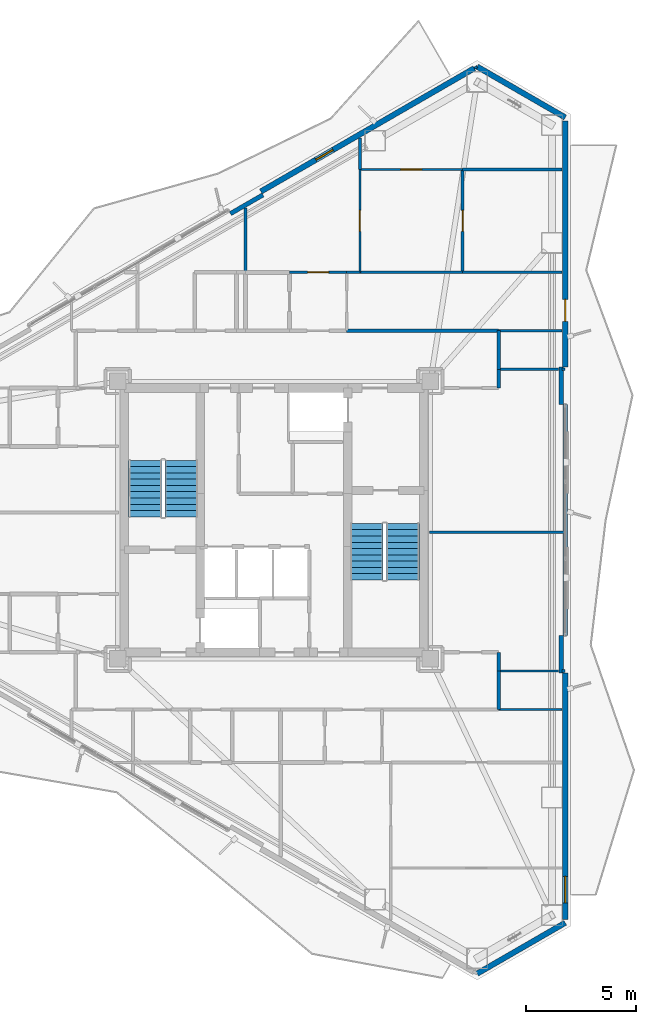
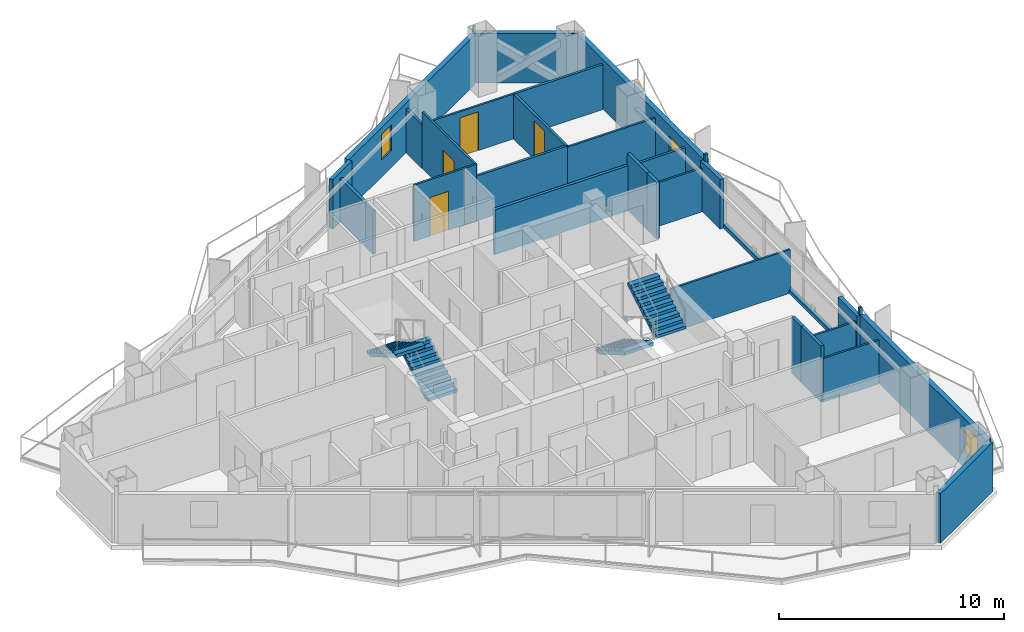
# One storey, part 16 of 19: 32 walls, 5 doors, 4 stair flights, 2 windows, 7 openings, 2 elements without a shape of their own.
"""IFC4 building model written with IfcOpenShell, lengths in metres."""

from ifc_helpers import new_model, si_unit, direction, frame, frame_2d, origin, place, context, subcontext, project, spatial, polyline, rectangle, outline, extrude, material, layer, layer_set, type_object, element, fill, aggregate, save


model = new_model("IFC4")

# Units and contexts
model_context = context("Model", 3, precision=1e-05, world=origin(), true_north=direction((0.0, 1.0)))
body_context = subcontext(model_context, "Body", "Model", "MODEL_VIEW")
ifc_project = project(units=[si_unit("LENGTHUNIT", "METRE"), si_unit("AREAUNIT", "SQUARE_METRE"), si_unit("VOLUMEUNIT", "CUBIC_METRE"), si_unit("PLANEANGLEUNIT", "RADIAN"), si_unit("MASSUNIT", "GRAM", prefix="KILO")], contexts=[model_context])

# Site, building, storey
site_placement = place(None, origin())
site = spatial("IfcSite", under=ifc_project, at=site_placement, CompositionType="ELEMENT")
building_placement = place(site_placement, origin())
building = spatial("IfcBuilding", under=site, at=building_placement, Name="Mersakhor Tower and Convention Hall", CompositionType="ELEMENT")
storey_placement = place(building_placement, frame((0.0, 0.0, 147.60009765625)))
storey = spatial("IfcBuildingStorey", under=building, at=storey_placement, Name="L41", CompositionType="ELEMENT", Elevation=147.60009765625)

# Walls
ifc_material_1 = material(Name="Precast concrete C40/50", Category="concrete")
ifc_layer_1 = layer(ifc_material_1, 0.25)
ifc_layer_set_1 = layer_set([ifc_layer_1], Name="Precast concrete C40/50")
wall_type_1 = type_object("IfcWallType", Name="WL-EXT-250", PredefinedType="SOLIDWALL", material=ifc_layer_set_1)
for number, where, z_axis, x_axis, name in (
    (1, (38.220458984375, 47.337646484375, 0.0), (0.0, 0.0, 1.0), (0.866035021055, -0.499983342029, 0.0), "L41 Chamfer Braced Spandrel Wall C1"),
    (2, (42.21923828125, 8.470947265625, 0.0), (0.0, 0.0, 1.0), (-0.866035021055, -0.499983342029, 0.0), "L41 Chamfer Braced Spandrel Wall C2"),
):
    element("IfcWall", number, at=place(storey_placement, frame(where, z_axis=z_axis, x_axis=x_axis)), inside=storey, type_object=wall_type_1, Name=name, PredefinedType="SOLIDWALL", context=body_context, shape_type="SweptSolid", body=[
        extrude(rectangle(XDim=4.617431640625, YDim=0.25, at=frame_2d((2.30859375, 0.0))), origin(), (0.0, 0.0, 1.0), 2.679931640625),
    ])

# Wall, opening, window
wall_1_placement = place(storey_placement, frame((28.4033203125, 41.669677734375, 0.0), z_axis=(0.0, 0.0, 1.0), x_axis=(0.86602239209, 0.500005216371, 0.0)))
wall_1 = element("IfcWall", 3, at=wall_1_placement, inside=storey, type_object=wall_type_1, Name="L41 Exterior Facade Wall F1-B3", PredefinedType="SOLIDWALL", context=body_context, shape_type="SweptSolid", body=[
    extrude(rectangle(XDim=11.18603515625, YDim=0.25, at=frame_2d((5.593017578125, 0.0))), origin(), (0.0, 0.0, 1.0), 2.679931640625),
])
opening_1_placement = place(wall_1_placement, frame((2.8798828125, 0.0, 0.89990234375)))
opening_1 = element("IfcOpeningElement", 4, at=opening_1_placement, cuts=wall_1, Name="Opening W-06", PredefinedType="OPENING", context=body_context, shape_type="SweptSolid", body=[
    extrude(rectangle(XDim=0.89990234375, YDim=1.39990234375, at=frame_2d((0.449951171875, 0.699951171875))), frame((0.0, 0.135009765625, 0.0), z_axis=(0.0, -1.0, 0.0), x_axis=(1.0, 0.0, 0.0)), (0.0, 0.0, 1.0), 0.27001953125),
])
ifc_material_2 = material(Name="Dark solar low-E glazed aluminium window", Category="aluminium")
window_type_1 = type_object("IfcWindowType", Name="WN-STD-090x140", PartitioningType="SINGLE_PANEL", PredefinedType="WINDOW", material=ifc_material_2)
window_1_placement = place(opening_1_placement, origin())
window_1 = element("IfcWindow", 5, at=window_1_placement, inside=storey, type_object=window_type_1, Name="L41 Facade Punched Window F1-B3", OverallHeight=1.39990234375, OverallWidth=0.89990234375, PartitioningType="SINGLE_PANEL", PredefinedType="WINDOW", context=body_context, shape_type="SweptSolid", body=[
    extrude(rectangle(XDim=0.89990234375, YDim=1.39990234375, at=frame_2d((0.449951171875, 0.699951171875))), frame((0.0, 0.030029296875, 0.0), z_axis=(0.0, -1.0, 0.0), x_axis=(1.0, 0.0, 0.0)), (0.0, 0.0, 1.0), 0.06005859375),
])
fill(opening_1, window_1)

# Wall, opening, door
wall_2_placement = place(storey_placement, frame((42.21923828125, 44.87890625, 0.0), z_axis=(0.0, 0.0, 1.0), x_axis=(0.0, -1.0, 0.0)))
wall_2 = element("IfcWall", 6, at=wall_2_placement, inside=storey, type_object=wall_type_1, Name="L41 Exterior Facade Wall F2-B1", PredefinedType="SOLIDWALL", context=body_context, shape_type="SweptSolid", body=[
    extrude(rectangle(XDim=11.185791015625, YDim=0.25, at=frame_2d((5.5927734375, 0.0))), origin(), (0.0, 0.0, 1.0), 2.679931640625),
])
opening_2_placement = place(wall_2_placement, frame((8.10888671875, 0.0, 0.0)))
opening_2 = element("IfcOpeningElement", 7, at=opening_2_placement, cuts=wall_2, Name="Opening BD-01", PredefinedType="OPENING", context=body_context, shape_type="SweptSolid", body=[
    extrude(rectangle(XDim=1.0, YDim=2.10009765625, at=frame_2d((0.5, 1.050048828125))), frame((0.0, 0.135009765625, 0.0), z_axis=(0.0, -1.0, 0.0), x_axis=(1.0, 0.0, 0.0)), (0.0, 0.0, 1.0), 0.27001953125),
])
ifc_material_3 = material(Name="Thermally broken dark aluminium and safety glass", Category="aluminium")
door_type_1 = type_object("IfcDoorType", Name="DR-BAL-100x210", OperationType="NOTDEFINED", PredefinedType="DOOR", material=ifc_material_3)
door_1_placement = place(opening_2_placement, origin())
door_1 = element("IfcDoor", 8, at=door_1_placement, inside=storey, type_object=door_type_1, Name="L41 Balcony Terrace Door F2-B1", OperationType="SINGLE_SWING_LEFT", OverallHeight=2.10009765625, OverallWidth=1.0, PredefinedType="DOOR", context=body_context, shape_type="SweptSolid", body=[
    extrude(rectangle(XDim=1.0, YDim=2.10009765625, at=frame_2d((0.5, 1.050048828125))), frame((0.0, 0.02490234375, 0.0), z_axis=(0.0, -1.0, 0.0), x_axis=(1.0, 0.0, 0.0)), (0.0, 0.0, 1.0), 0.050048828125),
])
fill(opening_2, door_1)

# Wall, opening, window
wall_3_placement = place(storey_placement, frame((42.21923828125, 19.806884765625, 0.0), z_axis=(0.0, 0.0, 1.0), x_axis=(0.0, -1.0, 0.0)))
wall_3 = element("IfcWall", 9, at=wall_3_placement, inside=storey, type_object=wall_type_1, Name="L41 Exterior Facade Wall F2-B3", PredefinedType="SOLIDWALL", context=body_context, shape_type="SweptSolid", body=[
    extrude(rectangle(XDim=11.185791015625, YDim=0.25, at=frame_2d((5.5927734375, 0.0))), origin(), (0.0, 0.0, 1.0), 2.679931640625),
])
opening_3_placement = place(wall_3_placement, frame((9.22705078125, 0.0, 0.89990234375)))
opening_3 = element("IfcOpeningElement", 10, at=opening_3_placement, cuts=wall_3, Name="Opening W-01", PredefinedType="OPENING", context=body_context, shape_type="SweptSolid", body=[
    extrude(rectangle(XDim=1.199951171875, YDim=1.39990234375, at=frame_2d((0.60009765625, 0.699951171875))), frame((0.0, 0.135009765625, 0.0), z_axis=(0.0, -1.0, 0.0), x_axis=(1.0, 0.0, 0.0)), (0.0, 0.0, 1.0), 0.27001953125),
])
ifc_material_4 = material(Name="Dark solar low-E glazed aluminium window", Category="aluminium")
window_type_2 = type_object("IfcWindowType", Name="WN-RES-120x150", PartitioningType="SINGLE_PANEL", PredefinedType="WINDOW", material=ifc_material_4)
window_2_placement = place(opening_3_placement, origin())
window_2 = element("IfcWindow", 11, at=window_2_placement, inside=storey, type_object=window_type_2, Name="L41 Bedroom Facade Window F2-B3-1", OverallHeight=1.39990234375, OverallWidth=1.199951171875, PartitioningType="SINGLE_PANEL", PredefinedType="WINDOW", context=body_context, shape_type="SweptSolid", body=[
    extrude(rectangle(XDim=1.199951171875, YDim=1.39990234375, at=frame_2d((0.60009765625, 0.699951171875))), frame((0.0, 0.030029296875, 0.0), z_axis=(0.0, -1.0, 0.0), x_axis=(1.0, 0.0, 0.0)), (0.0, 0.0, 1.0), 0.06005859375),
])
fill(opening_3, window_2)

# Walls
ifc_material_5 = material(Name="Precast concrete C40/50", Category="concrete")
ifc_layer_2 = layer(ifc_material_5, 0.199951171875)
ifc_layer_set_2 = layer_set([ifc_layer_2], Name="Precast concrete C40/50")
wall_type_2 = type_object("IfcWallType", Name="WL-PAR-200", PredefinedType="PARAPET", material=ifc_layer_set_2)
wall_4_placement = place(storey_placement, frame((27.02099609375, 40.663818359375, 0.0), z_axis=(0.0, 0.0, 1.0), x_axis=(0.86605165483, 0.499954529098, 0.0)))
element("IfcWall", 12, at=wall_4_placement, inside=storey, type_object=wall_type_2, Name="L41 Column Pier Cladding Wall F1-C2", PredefinedType="PARAPET", context=body_context, shape_type="SweptSolid", body=[
    extrude(rectangle(XDim=1.699951171875, YDim=0.199951171875, at=frame_2d((0.85009765625, 0.0))), origin(), (0.0, 0.0, 1.0), 2.679931640625),
])
wall_5_placement = place(storey_placement, frame((42.21923828125, 31.992919921875, 0.0), z_axis=(0.0, 0.0, 1.0), x_axis=(0.0, -1.0, 0.0)))
element("IfcWall", 13, at=wall_5_placement, inside=storey, type_object=wall_type_2, Name="L41 Curtain Wall Upstand Sill F2-B2", PredefinedType="PARAPET", context=body_context, shape_type="SweptSolid", body=[
    extrude(rectangle(XDim=10.48583984375, YDim=0.199951171875, at=frame_2d((5.242919921875, 0.0))), origin(), (0.0, 0.0, 1.0), 0.199951171875),
])
for number, where, z_axis, x_axis, name in (
    (14, (42.039306640625, 33.693115234375, 0.0), (0.0, 0.0, 1.0), (0.0, -1.0, 0.0), "L41 Column Pier Cladding Wall F2-C1"),
    (15, (42.039306640625, 21.507080078125, 0.0), (0.0, 0.0, 1.0), (0.0, -1.0, 0.0), "L41 Column Pier Cladding Wall F2-C2"),
):
    element("IfcWall", number, at=place(storey_placement, frame(where, z_axis=z_axis, x_axis=x_axis)), inside=storey, type_object=wall_type_2, Name=name, PredefinedType="PARAPET", context=body_context, shape_type="SweptSolid", body=[
        extrude(rectangle(XDim=1.7001953125, YDim=0.199951171875, at=frame_2d((0.85009765625, 0.0))), origin(), (0.0, 0.0, 1.0), 2.679931640625),
    ])

# Wall, opening, door
ifc_material_6 = material(Name="Lightweight gypsum partition", Category="other")
ifc_layer_3 = layer(ifc_material_6, 0.10009765625)
ifc_layer_set_3 = layer_set([ifc_layer_3], Name="Lightweight gypsum partition")
wall_type_3 = type_object("IfcWallType", Name="WL-PRT-100", PredefinedType="PARTITIONING", material=ifc_layer_set_3)
wall_6_placement = place(storey_placement, frame((29.699951171875, 38.0, 0.0), z_axis=(0.0, 0.0, 1.0), x_axis=(1.0, 0.0, 0.0)))
wall_6 = element("IfcWall", 16, at=wall_6_placement, inside=storey, type_object=wall_type_3, Name="L41 Interior Partition Wall P-052", PredefinedType="PARTITIONING", context=body_context, shape_type="SweptSolid", body=[
    extrude(rectangle(XDim=2.60009765625, YDim=0.10009765625, at=frame_2d((1.300048828125, 0.0))), origin(), (0.0, 0.0, 1.0), 3.059814453125),
])
opening_4_placement = place(wall_6_placement, frame((0.824951171875, 0.0, 0.0)))
opening_4 = element("IfcOpeningElement", 17, at=opening_4_placement, cuts=wall_6, Name="Opening RD-01", PredefinedType="OPENING", context=body_context, shape_type="SweptSolid", body=[
    extrude(rectangle(XDim=0.949951171875, YDim=2.10009765625, at=frame_2d((0.47509765625, 1.050048828125))), frame((0.0, 0.06005859375, 0.0), z_axis=(0.0, -1.0, 0.0), x_axis=(1.0, 0.0, 0.0)), (0.0, 0.0, 1.0), 0.1201171875),
])
ifc_material_7 = material(Name="Solid-core hardwood leaf in painted steel frame", Category="steel")
door_type_2 = type_object("IfcDoorType", Name="DR-INT-RM-095x210", OperationType="NOTDEFINED", PredefinedType="DOOR", material=ifc_material_7)
door_2_placement = place(opening_4_placement, origin())
door_2 = element("IfcDoor", 18, at=door_2_placement, inside=storey, type_object=door_type_2, Name="L41 L41 Flat N2 Apartment Hall to L41 Flat N2 Living and Dining Room Door", OperationType="SINGLE_SWING_LEFT", OverallHeight=2.10009765625, OverallWidth=0.949951171875, PredefinedType="DOOR", context=body_context, shape_type="SweptSolid", body=[
    extrude(rectangle(XDim=0.949951171875, YDim=2.10009765625, at=frame_2d((0.47509765625, 1.050048828125))), frame((0.0, 0.02490234375, 0.0), z_axis=(0.0, -1.0, 0.0), x_axis=(1.0, 0.0, 0.0)), (0.0, 0.0, 1.0), 0.050048828125),
])
fill(opening_4, door_2)

# Walls
wall_7_placement = place(storey_placement, frame((32.300048828125, 38.0, 0.0), z_axis=(0.0, 0.0, 1.0), x_axis=(1.0, 0.0, 0.0)))
element("IfcWall", 19, at=wall_7_placement, inside=storey, type_object=wall_type_3, Name="L41 Interior Partition Wall P-074", PredefinedType="PARTITIONING", context=body_context, shape_type="SweptSolid", body=[
    extrude(rectangle(XDim=0.599853515625, YDim=0.10009765625, at=frame_2d((0.2998046875, 0.0))), origin(), (0.0, 0.0, 1.0), 3.059814453125),
])
wall_8_placement = place(storey_placement, frame((37.56005859375, 38.0, 0.0), z_axis=(0.0, 0.0, 1.0), x_axis=(1.0, 0.0, 0.0)))
element("IfcWall", 20, at=wall_8_placement, inside=storey, type_object=wall_type_3, Name="L41 Interior Partition Wall P-076", PredefinedType="PARTITIONING", context=body_context, shape_type="SweptSolid", body=[
    extrude(rectangle(XDim=4.51025390625, YDim=0.10009765625, at=frame_2d((2.255126953125, 0.0))), origin(), (0.0, 0.0, 1.0), 2.364990234375),
])
wall_9_placement = place(storey_placement, frame((39.199951171875, 18.14990234375, 0.0), z_axis=(0.0, 0.0, 1.0), x_axis=(1.0, 0.0, 0.0)))
element("IfcWall", 21, at=wall_9_placement, inside=storey, type_object=wall_type_3, Name="L41 Interior Partition Wall P-082", PredefinedType="PARTITIONING", context=body_context, shape_type="SweptSolid", body=[
    extrude(rectangle(XDim=2.870361328125, YDim=0.10009765625, at=frame_2d((1.43505859375, 0.0))), origin(), (0.0, 0.0, 1.0), 2.364990234375),
])
wall_10_placement = place(storey_placement, frame((39.199951171875, 33.60009765625, 0.0), z_axis=(0.0, 0.0, 1.0), x_axis=(1.0, 0.0, 0.0)))
element("IfcWall", 22, at=wall_10_placement, inside=storey, type_object=wall_type_3, Name="L41 Interior Partition Wall P-100", PredefinedType="PARTITIONING", context=body_context, shape_type="SweptSolid", body=[
    extrude(rectangle(XDim=2.71533203125, YDim=0.10009765625, at=frame_2d((1.357666015625, 0.0))), origin(), (0.0, 0.0, 1.0), 2.364990234375),
])
wall_11_placement = place(storey_placement, frame((42.18115234375, 26.199951171875, 0.0), z_axis=(0.0, 0.0, 1.0), x_axis=(-1.0, 0.0, 0.0)))
element("IfcWall", 23, at=wall_11_placement, inside=storey, type_object=wall_type_3, Name="L41 Interior Partition Wall P-102", PredefinedType="PARTITIONING", context=body_context, shape_type="SweptSolid", body=[
    extrude(rectangle(XDim=6.131103515625, YDim=0.10009765625, at=frame_2d((3.0654296875, 0.0))), origin(), (0.0, 0.0, 1.0), 2.364990234375),
])
wall_12_placement = place(storey_placement, frame((41.915283203125, 19.89990234375, 0.0), z_axis=(0.0, 0.0, 1.0), x_axis=(-1.0, 0.0, 0.0)))
element("IfcWall", 24, at=wall_12_placement, inside=storey, type_object=wall_type_3, Name="L41 Interior Partition Wall P-106", PredefinedType="PARTITIONING", context=body_context, shape_type="SweptSolid", body=[
    extrude(rectangle(XDim=2.71533203125, YDim=0.10009765625, at=frame_2d((1.357666015625, 0.0))), origin(), (0.0, 0.0, 1.0), 2.364990234375),
])

# Wall, opening, door
wall_13_placement = place(storey_placement, frame((32.89990234375, 42.669921875, 0.0), z_axis=(0.0, 0.0, 1.0), x_axis=(0.0, -1.0, 0.0)))
wall_13 = element("IfcWall", 25, at=wall_13_placement, inside=storey, type_object=wall_type_3, Name="L41 Interior Partition Wall P-114", PredefinedType="PARTITIONING", context=body_context, shape_type="SweptSolid", body=[
    extrude(rectangle(XDim=4.669921875, YDim=0.10009765625, at=frame_2d((2.3349609375, 0.0))), origin(), (0.0, 0.0, 1.0), 3.059814453125),
])
opening_5_placement = place(wall_13_placement, frame((1.860107421875, 0.0, 0.0)))
opening_5 = element("IfcOpeningElement", 26, at=opening_5_placement, cuts=wall_13, Name="Opening RD-01", PredefinedType="OPENING", context=body_context, shape_type="SweptSolid", body=[
    extrude(rectangle(XDim=0.949951171875, YDim=2.10009765625, at=frame_2d((0.47509765625, 1.050048828125))), frame((0.0, 0.06005859375, 0.0), z_axis=(0.0, -1.0, 0.0), x_axis=(1.0, 0.0, 0.0)), (0.0, 0.0, 1.0), 0.1201171875),
])
door_3_placement = place(opening_5_placement, origin())
door_3 = element("IfcDoor", 27, at=door_3_placement, inside=storey, type_object=door_type_2, Name="L41 L41 Flat N2 Living and Dining Room to L41 Flat N2 Bedroom 1 Door", OperationType="SINGLE_SWING_RIGHT", OverallHeight=2.10009765625, OverallWidth=0.949951171875, PredefinedType="DOOR", context=body_context, shape_type="SweptSolid", body=[
    extrude(rectangle(XDim=0.949951171875, YDim=2.10009765625, at=frame_2d((0.47509765625, 1.050048828125))), frame((0.0, 0.02490234375, 0.0), z_axis=(0.0, -1.0, 0.0), x_axis=(1.0, 0.0, 0.0)), (0.0, 0.0, 1.0), 0.050048828125),
])
fill(opening_5, door_3)

wall_14_placement = place(storey_placement, frame((32.89990234375, 42.669921875, 0.0), z_axis=(0.0, 0.0, 1.0), x_axis=(1.0, 0.0, 0.0)))
wall_14 = element("IfcWall", 28, at=wall_14_placement, inside=storey, type_object=wall_type_3, Name="L41 Interior Partition Wall P-116", PredefinedType="PARTITIONING", context=body_context, shape_type="SweptSolid", body=[
    extrude(rectangle(XDim=4.66015625, YDim=0.10009765625, at=frame_2d((2.330078125, 0.0))), origin(), (0.0, 0.0, 1.0), 2.4326171875),
])
opening_6_placement = place(wall_14_placement, frame((1.85498046875, 0.0, 0.0)))
opening_6 = element("IfcOpeningElement", 29, at=opening_6_placement, cuts=wall_14, Name="Opening RD-01", PredefinedType="OPENING", context=body_context, shape_type="SweptSolid", body=[
    extrude(rectangle(XDim=0.949951171875, YDim=2.10009765625, at=frame_2d((0.47509765625, 1.050048828125))), frame((0.0, 0.06005859375, 0.0), z_axis=(0.0, -1.0, 0.0), x_axis=(1.0, 0.0, 0.0)), (0.0, 0.0, 1.0), 0.1201171875),
])
door_4_placement = place(opening_6_placement, origin())
door_4 = element("IfcDoor", 30, at=door_4_placement, inside=storey, type_object=door_type_2, Name="L41 L41 Flat N2 Bedroom 1 to L41 Flat N2 Study Room Door", OperationType="SINGLE_SWING_RIGHT", OverallHeight=2.10009765625, OverallWidth=0.949951171875, PredefinedType="DOOR", context=body_context, shape_type="SweptSolid", body=[
    extrude(rectangle(XDim=0.949951171875, YDim=2.10009765625, at=frame_2d((0.47509765625, 1.050048828125))), frame((0.0, 0.02490234375, 0.0), z_axis=(0.0, -1.0, 0.0), x_axis=(1.0, 0.0, 0.0)), (0.0, 0.0, 1.0), 0.050048828125),
])
fill(opening_6, door_4)

# Walls
wall_15_placement = place(storey_placement, frame((38.090576171875, 47.2626953125, 0.0), z_axis=(0.0, 0.0, 1.0), x_axis=(0.865833797362, 0.500331725305, 0.0)))
element("IfcWall", 31, at=wall_15_placement, inside=storey, type_object=wall_type_3, Name="L41 Interior Partition Wall P-118", PredefinedType="PARTITIONING", context=body_context, shape_type="SweptSolid", body=[
    extrude(rectangle(XDim=0.150390625, YDim=0.10009765625, at=frame_2d((0.0751953125, 0.0))), origin(), (0.0, 0.0, 1.0), 3.059814453125),
])
ifc_material_8 = material(Name="Gypsum board acoustic partition", Category="other")
ifc_layer_4 = layer(ifc_material_8, 0.125)
ifc_layer_set_4 = layer_set([ifc_layer_4], Name="Gypsum board acoustic partition")
wall_type_4 = type_object("IfcWallType", Name="WL-PRT-125", PredefinedType="PARTITIONING", material=ifc_layer_set_4)
wall_16_placement = place(storey_placement, frame((42.0703125, 35.35009765625, 0.0), z_axis=(0.0, 0.0, 1.0), x_axis=(-1.0, 0.0, 0.0)))
element("IfcWall", 32, at=wall_16_placement, inside=storey, type_object=wall_type_4, Name="L41 Interior Partition Wall P-073", PredefinedType="PARTITIONING", context=body_context, shape_type="SweptSolid", body=[
    extrude(rectangle(XDim=2.870361328125, YDim=0.125, at=frame_2d((1.43505859375, 0.0))), origin(), (0.0, 0.0, 1.0), 2.364990234375),
])
wall_17_placement = place(storey_placement, frame((32.89990234375, 38.0, 0.0), z_axis=(0.0, 0.0, 1.0), x_axis=(1.0, 0.0, 0.0)))
element("IfcWall", 33, at=wall_17_placement, inside=storey, type_object=wall_type_4, Name="L41 Interior Partition Wall P-075", PredefinedType="PARTITIONING", context=body_context, shape_type="SweptSolid", body=[
    extrude(rectangle(XDim=4.66015625, YDim=0.125, at=frame_2d((2.330078125, 0.0))), origin(), (0.0, 0.0, 1.0), 2.4326171875),
])
for number, where, z_axis, x_axis, name in (
    (34, (42.07421875, 33.60009765625, 0.0), (0.0, 0.0, 1.0), (1.0, 0.0, 0.0), "L41 Interior Partition Wall P-101"),
    (35, (42.218994140625, 19.89990234375, 0.0), (0.0, 0.0, 1.0), (-1.0, 0.0, 0.0), "L41 Interior Partition Wall P-105"),
):
    element("IfcWall", number, at=place(storey_placement, frame(where, z_axis=z_axis, x_axis=x_axis)), inside=storey, type_object=wall_type_4, Name=name, PredefinedType="PARTITIONING", context=body_context, shape_type="SweptSolid", body=[
        extrude(rectangle(XDim=0.144775390625, YDim=0.125, at=frame_2d((0.072265625, 0.0))), origin(), (0.0, 0.0, 1.0), 3.059814453125),
    ])
wall_18_placement = place(storey_placement, frame((32.89990234375, 44.09375, 0.0), z_axis=(0.0, 0.0, 1.0), x_axis=(0.0, -1.0, 0.0)))
element("IfcWall", 36, at=wall_18_placement, inside=storey, type_object=wall_type_4, Name="L41 Interior Partition Wall P-113", PredefinedType="PARTITIONING", context=body_context, shape_type="SweptSolid", body=[
    extrude(rectangle(XDim=1.423828125, YDim=0.125, at=frame_2d((0.7119140625, 0.0))), origin(), (0.0, 0.0, 1.0), 2.364990234375),
])

# Wall, opening, door
wall_19_placement = place(storey_placement, frame((37.56005859375, 42.669921875, 0.0), z_axis=(0.0, 0.0, 1.0), x_axis=(0.0, -1.0, 0.0)))
wall_19 = element("IfcWall", 37, at=wall_19_placement, inside=storey, type_object=wall_type_4, Name="L41 Interior Partition Wall P-115", PredefinedType="PARTITIONING", context=body_context, shape_type="SweptSolid", body=[
    extrude(rectangle(XDim=4.669921875, YDim=0.125, at=frame_2d((2.3349609375, 0.0))), origin(), (0.0, 0.0, 1.0), 2.4326171875),
])
opening_7_placement = place(wall_19_placement, frame((1.860107421875, 0.0, 0.0)))
opening_7 = element("IfcOpeningElement", 38, at=opening_7_placement, cuts=wall_19, Name="Opening RD-01", PredefinedType="OPENING", context=body_context, shape_type="SweptSolid", body=[
    extrude(rectangle(XDim=0.949951171875, YDim=2.10009765625, at=frame_2d((0.47509765625, 1.050048828125))), frame((0.0, 0.072509765625, 0.0), z_axis=(0.0, -1.0, 0.0), x_axis=(1.0, 0.0, 0.0)), (0.0, 0.0, 1.0), 0.14501953125),
])
door_5_placement = place(opening_7_placement, origin())
door_5 = element("IfcDoor", 39, at=door_5_placement, inside=storey, type_object=door_type_2, Name="L41 L41 Flat N2 Bedroom 1 to L41 Flat N2 Study Room Door", OperationType="SINGLE_SWING_LEFT", OverallHeight=2.10009765625, OverallWidth=0.949951171875, PredefinedType="DOOR", context=body_context, shape_type="SweptSolid", body=[
    extrude(rectangle(XDim=0.949951171875, YDim=2.10009765625, at=frame_2d((0.47509765625, 1.050048828125))), frame((0.0, 0.02490234375, 0.0), z_axis=(0.0, -1.0, 0.0), x_axis=(1.0, 0.0, 0.0)), (0.0, 0.0, 1.0), 0.050048828125),
])
fill(opening_7, door_5)

# Walls
wall_20_placement = place(storey_placement, frame((37.56005859375, 42.669921875, 0.0), z_axis=(0.0, 0.0, 1.0), x_axis=(1.0, 0.0, 0.0)))
element("IfcWall", 40, at=wall_20_placement, inside=storey, type_object=wall_type_4, Name="L41 Interior Partition Wall P-117", PredefinedType="PARTITIONING", context=body_context, shape_type="SweptSolid", body=[
    extrude(rectangle(XDim=4.51025390625, YDim=0.125, at=frame_2d((2.255126953125, 0.0))), origin(), (0.0, 0.0, 1.0), 2.4326171875),
])
ifc_material_9 = material(Name="Fire-rated gypsum board stud partition", Category="other")
ifc_layer_5 = layer(ifc_material_9, 0.14990234375)
ifc_layer_set_5 = layer_set([ifc_layer_5], Name="Fire-rated gypsum board stud partition")
wall_type_5 = type_object("IfcWallType", Name="WL-PRT-150", PredefinedType="PARTITIONING", material=ifc_layer_set_5)
wall_21_placement = place(storey_placement, frame((32.300048828125, 35.35009765625, 0.0), z_axis=(0.0, 0.0, 1.0), x_axis=(1.0, 0.0, 0.0)))
element("IfcWall", 41, at=wall_21_placement, inside=storey, type_object=wall_type_5, Name="L41 Interior Partition Wall P-028", PredefinedType="PARTITIONING", context=body_context, shape_type="SweptSolid", body=[
    extrude(rectangle(XDim=6.89990234375, YDim=0.14990234375, at=frame_2d((3.449951171875, 0.0))), origin(), (0.0, 0.0, 1.0), 2.4326171875),
])
wall_22_placement = place(storey_placement, frame((39.199951171875, 35.35009765625, 0.0), z_axis=(0.0, 0.0, 1.0), x_axis=(0.0, -1.0, 0.0)))
element("IfcWall", 42, at=wall_22_placement, inside=storey, type_object=wall_type_5, Name="L41 Interior Partition Wall P-029", PredefinedType="PARTITIONING", context=body_context, shape_type="SweptSolid", body=[
    extrude(rectangle(XDim=1.75, YDim=0.14990234375, at=frame_2d((0.875, 0.0))), origin(), (0.0, 0.0, 1.0), 3.059814453125),
])
for number, where, z_axis, x_axis, name in (
    (43, (39.199951171875, 33.60009765625, 0.0), (0.0, 0.0, 1.0), (0.0, -1.0, 0.0), "L41 Interior Partition Wall P-030"),
    (44, (39.199951171875, 20.75, 0.0), (0.0, 0.0, 1.0), (0.0, -1.0, 0.0), "L41 Interior Partition Wall P-039"),
):
    element("IfcWall", number, at=place(storey_placement, frame(where, z_axis=z_axis, x_axis=x_axis)), inside=storey, type_object=wall_type_5, Name=name, PredefinedType="PARTITIONING", context=body_context, shape_type="SweptSolid", body=[
        extrude(rectangle(XDim=0.85009765625, YDim=0.14990234375, at=frame_2d((0.425048828125, 0.0))), origin(), (0.0, 0.0, 1.0), 3.059814453125),
    ])
wall_23_placement = place(storey_placement, frame((39.199951171875, 19.89990234375, 0.0), z_axis=(0.0, 0.0, 1.0), x_axis=(0.0, -1.0, 0.0)))
element("IfcWall", 45, at=wall_23_placement, inside=storey, type_object=wall_type_5, Name="L41 Interior Partition Wall P-040", PredefinedType="PARTITIONING", context=body_context, shape_type="SweptSolid", body=[
    extrude(rectangle(XDim=1.75, YDim=0.14990234375, at=frame_2d((0.875, 0.0))), origin(), (0.0, 0.0, 1.0), 3.059814453125),
])
wall_24_placement = place(storey_placement, frame((27.699951171875, 40.91259765625, 0.0), z_axis=(0.0, 0.0, 1.0), x_axis=(0.0, -1.0, 0.0)))
element("IfcWall", 46, at=wall_24_placement, inside=storey, type_object=wall_type_5, Name="L41 Interior Partition Wall P-107", PredefinedType="PARTITIONING", context=body_context, shape_type="SweptSolid", body=[
    extrude(rectangle(XDim=2.91259765625, YDim=0.14990234375, at=frame_2d((1.456298828125, 0.0))), origin(), (0.0, 0.0, 1.0), 2.364990234375),
])

# Stair, stair flights
ifc_material_10 = material(Name="Concrete C45/55", Category="concrete")
stair_type = type_object("IfcStairType", Name="ST-TWR-20R", PredefinedType="HALF_TURN_STAIR", material=ifc_material_10)
stair_1_placement = place(storey_placement, origin())
stair_1 = element("IfcStair", 47, at=stair_1_placement, inside=storey, type_object=stair_type, Name="L41 Tower Protected Exit Stair ST-1", PredefinedType="HALF_TURN_STAIR")
ifc_material_11 = material(Name="Concrete C45/55", Category="concrete")
stair_flight_type = type_object("IfcStairFlightType", Name="SFL-TWR-20R", PredefinedType="STRAIGHT", material=ifc_material_11)
stair_flight_1_placement = place(storey_placement, frame((24.800048828125, 26.89990234375, 0.0), z_axis=(0.0, 0.0, 1.0), x_axis=(0.0, 1.0, 0.0)))
stair_flight_1 = element("IfcStairFlight", 48, at=stair_flight_1_placement, type_object=stair_flight_type, Name="ST-1 flight 1", NumberOfRisers=10, NumberOfTreads=9, PredefinedType="STRAIGHT", RiserHeight=0.165, TreadLength=0.285, context=body_context, shape_type="SweptSolid", body=[
    extrude(outline(polyline([(0.0, 0.0), (0.0, 0.1650390625), (0.284912109375, 0.1650390625), (0.284912109375, 0.330078125), (0.570068359375, 0.330078125), (0.570068359375, 0.4951171875), (0.85498046875, 0.4951171875), (0.85498046875, 0.659912109375), (1.139892578125, 0.659912109375), (1.139892578125, 0.824951171875), (1.425048828125, 0.824951171875), (1.425048828125, 0.989990234375), (1.7099609375, 0.989990234375), (1.7099609375, 1.155029296875), (1.9951171875, 1.155029296875), (1.9951171875, 1.320068359375), (2.280029296875, 1.320068359375), (2.280029296875, 1.485107421875), (2.56494140625, 1.485107421875), (2.56494140625, 1.64990234375), (2.56494140625, 1.311767578125), (0.299072265625, 0.0), (0.0, 0.0)])), frame((0.0, 0.75, 0.0), z_axis=(0.0, -1.0, 0.0), x_axis=(1.0, 0.0, 0.0)), (0.0, 0.0, 1.0), 1.5),
])
stair_flight_2_placement = place(storey_placement, frame((23.14990234375, 29.465087890625, 1.64990234375), z_axis=(0.0, 0.0, 1.0), x_axis=(0.0, -1.0, 0.0)))
stair_flight_2 = element("IfcStairFlight", 49, at=stair_flight_2_placement, type_object=stair_flight_type, Name="ST-1 flight 2", NumberOfRisers=10, NumberOfTreads=9, PredefinedType="STRAIGHT", RiserHeight=0.165, TreadLength=0.285, context=body_context, shape_type="SweptSolid", body=[
    extrude(outline(polyline([(0.0, 0.0), (0.0, 0.1650390625), (0.284912109375, 0.1650390625), (0.284912109375, 0.330078125), (0.570068359375, 0.330078125), (0.570068359375, 0.4951171875), (0.85498046875, 0.4951171875), (0.85498046875, 0.659912109375), (1.139892578125, 0.659912109375), (1.139892578125, 0.824951171875), (1.425048828125, 0.824951171875), (1.425048828125, 0.989990234375), (1.7099609375, 0.989990234375), (1.7099609375, 1.155029296875), (1.9951171875, 1.155029296875), (1.9951171875, 1.320068359375), (2.280029296875, 1.320068359375), (2.280029296875, 1.485107421875), (2.56494140625, 1.485107421875), (2.56494140625, 1.64990234375), (2.56494140625, 1.311767578125), (0.299072265625, 0.0), (0.0, 0.0)])), frame((0.0, 0.75, 0.0), z_axis=(0.0, -1.0, 0.0), x_axis=(1.0, 0.0, 0.0)), (0.0, 0.0, 1.0), 1.5),
])
aggregate(stair_1, [stair_flight_1, stair_flight_2])

stair_2_placement = place(storey_placement, origin())
stair_2 = element("IfcStair", 50, at=stair_2_placement, inside=storey, type_object=stair_type, Name="L41 Tower Protected Exit Stair ST-2", PredefinedType="HALF_TURN_STAIR")
stair_flight_3_placement = place(storey_placement, frame((33.199951171875, 26.60009765625, 0.0), z_axis=(0.0, 0.0, 1.0), x_axis=(0.0, -1.0, 0.0)))
stair_flight_3 = element("IfcStairFlight", 51, at=stair_flight_3_placement, type_object=stair_flight_type, Name="ST-2 flight 1", NumberOfRisers=10, NumberOfTreads=9, PredefinedType="STRAIGHT", RiserHeight=0.165, TreadLength=0.285, context=body_context, shape_type="SweptSolid", body=[
    extrude(outline(polyline([(0.0, 0.0), (0.0, 0.1650390625), (0.284912109375, 0.1650390625), (0.284912109375, 0.330078125), (0.570068359375, 0.330078125), (0.570068359375, 0.4951171875), (0.85498046875, 0.4951171875), (0.85498046875, 0.659912109375), (1.139892578125, 0.659912109375), (1.139892578125, 0.824951171875), (1.425048828125, 0.824951171875), (1.425048828125, 0.989990234375), (1.7099609375, 0.989990234375), (1.7099609375, 1.155029296875), (1.9951171875, 1.155029296875), (1.9951171875, 1.320068359375), (2.280029296875, 1.320068359375), (2.280029296875, 1.485107421875), (2.56494140625, 1.485107421875), (2.56494140625, 1.64990234375), (2.56494140625, 1.311767578125), (0.299072265625, 0.0), (0.0, 0.0)])), frame((0.0, 0.75, 0.0), z_axis=(0.0, -1.0, 0.0), x_axis=(1.0, 0.0, 0.0)), (0.0, 0.0, 1.0), 1.5),
])
stair_flight_4_placement = place(storey_placement, frame((34.85009765625, 24.034912109375, 1.64990234375), z_axis=(0.0, 0.0, 1.0), x_axis=(0.0, 1.0, 0.0)))
stair_flight_4 = element("IfcStairFlight", 52, at=stair_flight_4_placement, type_object=stair_flight_type, Name="ST-2 flight 2", NumberOfRisers=10, NumberOfTreads=9, PredefinedType="STRAIGHT", RiserHeight=0.165, TreadLength=0.285, context=body_context, shape_type="SweptSolid", body=[
    extrude(outline(polyline([(0.0, 0.0), (0.0, 0.1650390625), (0.284912109375, 0.1650390625), (0.284912109375, 0.330078125), (0.570068359375, 0.330078125), (0.570068359375, 0.4951171875), (0.85498046875, 0.4951171875), (0.85498046875, 0.659912109375), (1.139892578125, 0.659912109375), (1.139892578125, 0.824951171875), (1.425048828125, 0.824951171875), (1.425048828125, 0.989990234375), (1.7099609375, 0.989990234375), (1.7099609375, 1.155029296875), (1.9951171875, 1.155029296875), (1.9951171875, 1.320068359375), (2.280029296875, 1.320068359375), (2.280029296875, 1.485107421875), (2.56494140625, 1.485107421875), (2.56494140625, 1.64990234375), (2.56494140625, 1.311767578125), (0.299072265625, 0.0), (0.0, 0.0)])), frame((0.0, 0.75, 0.0), z_axis=(0.0, -1.0, 0.0), x_axis=(1.0, 0.0, 0.0)), (0.0, 0.0, 1.0), 1.5),
])
aggregate(stair_2, [stair_flight_3, stair_flight_4])

save(model, "model.ifc")
